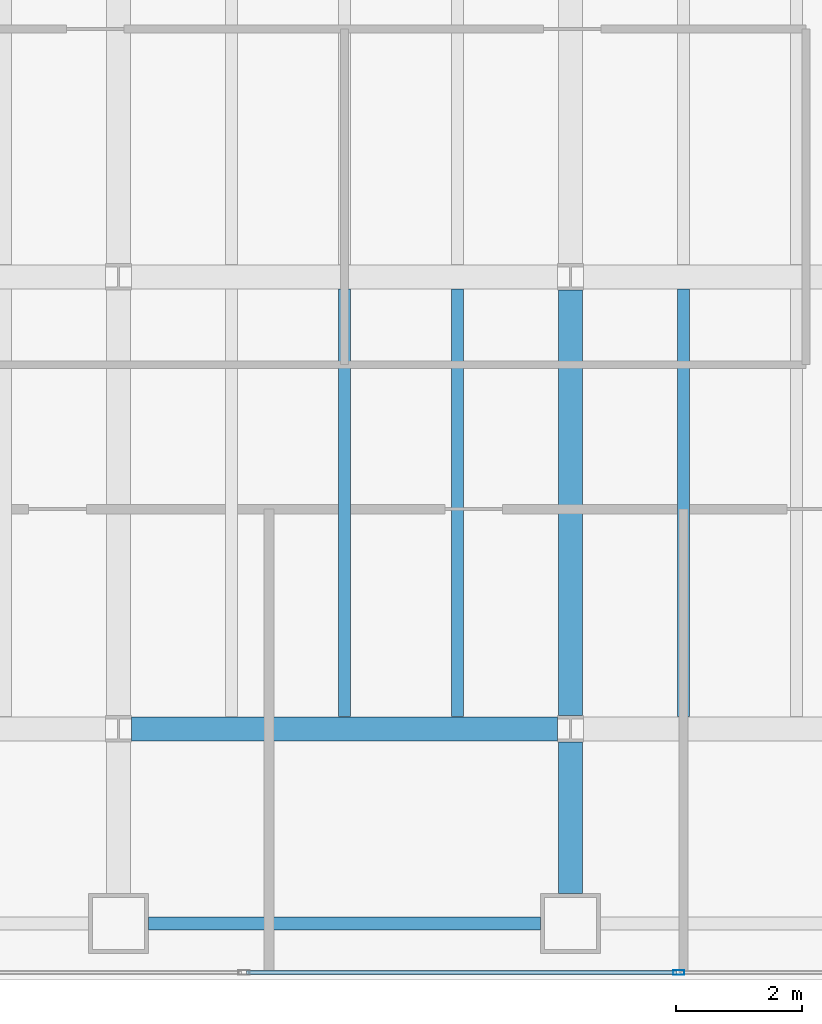
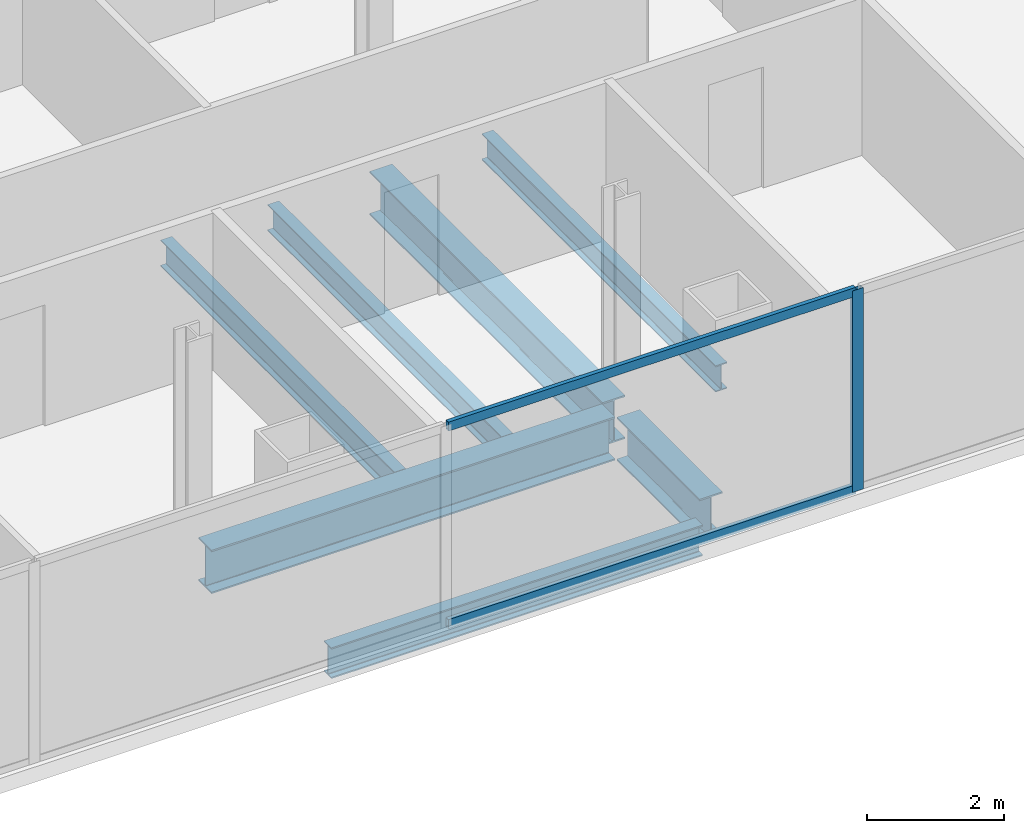
# One storey, part 5 of 23: 7 beams, 3 members, 1 element without a shape of its own.
"""IFC4 building model written with IfcOpenShell, lengths in metres."""

from ifc_helpers import new_model, si_unit, direction, frame, origin, origin_2d, place, context, subcontext, project, spatial, hollow_rectangle, i_section, extrude, material, material_profile, profile_set, type_object, element, aggregate, save


model = new_model("IFC4")

# Units and contexts
model_context = context("Model", 3, precision=1e-05, world=origin(), true_north=direction((0.0, 1.0)))
body_context = subcontext(model_context, "Body", "Model", "MODEL_VIEW")
ifc_project = project(units=[si_unit("LENGTHUNIT", "METRE"), si_unit("AREAUNIT", "SQUARE_METRE"), si_unit("VOLUMEUNIT", "CUBIC_METRE"), si_unit("PLANEANGLEUNIT", "RADIAN"), si_unit("MASSUNIT", "GRAM", prefix="KILO")], contexts=[model_context])

# Site, building, storey
site_placement = place(None, origin())
site = spatial("IfcSite", under=ifc_project, at=site_placement, CompositionType="ELEMENT")
building_placement = place(site_placement, origin())
building = spatial("IfcBuilding", under=site, at=building_placement, Name="Cobrela Telecom Tower", CompositionType="ELEMENT")
storey_placement = place(building_placement, frame((0.0, 0.0, 109.89990234375)))
storey = spatial("IfcBuildingStorey", under=building, at=storey_placement, Name="L27", CompositionType="ELEMENT", Elevation=109.89990234375)

# Beams
ifc_material_1 = material(Name="Steel ASTM A992 Grade 50", Category="steel")
ifc_material_profile_1 = material_profile(ifc_material_1, i_section(OverallWidth=0.381103515625, OverallDepth=0.77197265625, WebThickness=0.0166015625, FlangeThickness=0.027099609375, FilletRadius=0.01904296875, at=origin_2d()), Name="W30X173")
ifc_profile_set_1 = profile_set([ifc_material_profile_1], Name="Steel ASTM A992 Grade 50")
beam_type_1 = type_object("IfcBeamType", Name="BM-GIRD-04", PredefinedType="USERDEFINED", material=ifc_profile_set_1)
beam_1_placement = place(storey_placement, frame((21.8095703125, 7.199951171875, -0.656005859375), z_axis=(1.0, 0.0, 0.0), x_axis=(0.0, 1.0, 0.0)))
element("IfcBeam", 1, at=beam_1_placement, inside=storey, type_object=beam_type_1, Name="L27 Primary Girder X09", ObjectType="GIRDER", PredefinedType="USERDEFINED", context=body_context, shape_type="SweptSolid", body=[
    extrude(i_section(OverallWidth=0.381103515625, OverallDepth=0.77197265625, WebThickness=0.0166015625, FlangeThickness=0.027099609375, FilletRadius=0.01904296875, at=origin_2d()), origin(), (0.0, 0.0, 1.0), 6.781005859375),
])
beam_2_placement = place(storey_placement, frame((28.800048828125, 4.580078125, -0.656005859375), z_axis=(0.0, 1.0, 0.0), x_axis=(-1.0, 0.0, 0.0)))
element("IfcBeam", 2, at=beam_2_placement, inside=storey, type_object=beam_type_1, Name="L27 Primary Girder Y46", ObjectType="GIRDER", PredefinedType="USERDEFINED", context=body_context, shape_type="SweptSolid", body=[
    extrude(i_section(OverallWidth=0.381103515625, OverallDepth=0.77197265625, WebThickness=0.0166015625, FlangeThickness=0.027099609375, FilletRadius=0.01904296875, at=origin_2d()), origin(), (0.0, 0.0, 1.0), 2.410400390625),
])
beam_3_placement = place(storey_placement, frame((28.800048828125, 7.409423828125, -0.656005859375), z_axis=(0.0, 1.0, 0.0), x_axis=(-1.0, 0.0, 0.0)))
element("IfcBeam", 3, at=beam_3_placement, inside=storey, type_object=beam_type_1, Name="L27 Primary Girder Y47", ObjectType="GIRDER", PredefinedType="USERDEFINED", context=body_context, shape_type="SweptSolid", body=[
    extrude(i_section(OverallWidth=0.381103515625, OverallDepth=0.77197265625, WebThickness=0.0166015625, FlangeThickness=0.027099609375, FilletRadius=0.01904296875, at=origin_2d()), origin(), (0.0, 0.0, 1.0), 6.781005859375),
])
ifc_material_profile_2 = material_profile(ifc_material_1, i_section(OverallWidth=0.193115234375, OverallDepth=0.467041015625, WebThickness=0.011474609375, FlangeThickness=0.01904296875, FilletRadius=0.012939453125, at=origin_2d()), Name="W18X65")
ifc_profile_set_2 = profile_set([ifc_material_profile_2], Name="Steel ASTM A992 Grade 50")
beam_type_2 = type_object("IfcBeamType", Name="BM-JOIST-03", PredefinedType="JOIST", material=ifc_profile_set_2)
for number, where, z_axis, x_axis, name in (
    (4, (25.199951171875, 7.3955078125, -0.50341796875), (0.0, 1.0, 0.0), (-1.0, 0.0, 0.0), "L27 Secondary Composite Floor Beam J23"),
    (5, (27.0, 7.3955078125, -0.50341796875), (0.0, 1.0, 0.0), (-1.0, 0.0, 0.0), "L27 Secondary Composite Floor Beam J25"),
    (6, (30.60009765625, 7.3955078125, -0.50341796875), (0.0, 1.0, 0.0), (-1.0, 0.0, 0.0), "L27 Secondary Composite Floor Beam J27"),
):
    element("IfcBeam", number, at=place(storey_placement, frame(where, z_axis=z_axis, x_axis=x_axis)), inside=storey, type_object=beam_type_2, Name=name, PredefinedType="JOIST", context=body_context, shape_type="SweptSolid", body=[
        extrude(i_section(OverallWidth=0.193115234375, OverallDepth=0.467041015625, WebThickness=0.011474609375, FlangeThickness=0.01904296875, FilletRadius=0.012939453125, at=origin_2d()), origin(), (0.0, 0.0, 1.0), 6.80908203125),
    ])
ifc_material_profile_3 = material_profile(ifc_material_1, i_section(OverallWidth=0.212890625, OverallDepth=0.549072265625, WebThickness=0.0146484375, FlangeThickness=0.023681640625, FilletRadius=0.013916015625, at=origin_2d()), Name="W21X93")
ifc_profile_set_3 = profile_set([ifc_material_profile_3], Name="Steel ASTM A992 Grade 50")
beam_type_3 = type_object("IfcBeamType", Name="BM-SPAND-03", PredefinedType="SPANDREL", material=ifc_profile_set_3)
beam_4_placement = place(storey_placement, frame((22.080078125, 4.10009765625, -0.54443359375), z_axis=(1.0, 0.0, 0.0), x_axis=(0.0, 1.0, 0.0)))
element("IfcBeam", 7, at=beam_4_placement, inside=storey, type_object=beam_type_3, Name="L27 Perimeter Spandrel X03", PredefinedType="SPANDREL", context=body_context, shape_type="SweptSolid", body=[
    extrude(i_section(OverallWidth=0.212890625, OverallDepth=0.549072265625, WebThickness=0.0146484375, FlangeThickness=0.023681640625, FilletRadius=0.013916015625, at=origin_2d()), origin(), (0.0, 0.0, 1.0), 6.239990234375),
])

# Curtain wall, members
ifc_material_2 = material(Name="Anodized Bronze Aluminium 6063-T6", Category="aluminium")
curtain_wall_type = type_object("IfcCurtainWallType", Name="CW-SYS-TEL", PredefinedType="USERDEFINED", material=ifc_material_2)
curtain_wall_placement = place(storey_placement, origin())
curtain_wall = element("IfcCurtainWall", 8, at=curtain_wall_placement, inside=storey, type_object=curtain_wall_type, Name="L27 Unitised Bronze Curtain Wall 17", ObjectType="UNITISED CURTAIN WALL", PredefinedType="USERDEFINED")
ifc_material_profile_4 = material_profile(ifc_material_2, hollow_rectangle(XDim=0.074951171875, YDim=0.179931640625, WallThickness=0.00390625, at=origin_2d()), Name="ALU 75x180x4")
ifc_profile_set_4 = profile_set([ifc_material_profile_4], Name="Anodized Bronze Aluminium 6063-T6")
member_type_1 = type_object("IfcMemberType", Name="CW-SYS-TEL-MUL", PredefinedType="MULLION", material=ifc_profile_set_4)
member_1_placement = place(storey_placement, frame((30.5234375, 3.320068359375, 0.0), z_axis=(0.0, 0.0, 1.0), x_axis=(0.0, -1.0, 0.0)))
member_1 = element("IfcMember", 9, at=member_1_placement, type_object=member_type_1, Name="CW-TEL mullion 3", PredefinedType="MULLION", context=body_context, shape_type="SweptSolid", body=[
    extrude(hollow_rectangle(XDim=0.074951171875, YDim=0.179931640625, WallThickness=0.00390625, at=origin_2d()), origin(), (0.0, 0.0, 1.0), 3.580078125),
])
ifc_material_profile_5 = material_profile(ifc_material_2, hollow_rectangle(XDim=0.070068359375, YDim=0.159912109375, WallThickness=0.00390625, at=origin_2d()), Name="ALU 70x160x4")
ifc_profile_set_5 = profile_set([ifc_material_profile_5], Name="Anodized Bronze Aluminium 6063-T6")
member_type_2 = type_object("IfcMemberType", Name="CW-SYS-TEL-TRN", PredefinedType="USERDEFINED", material=ifc_profile_set_5)
member_2_placement = place(storey_placement, frame((30.48583984375, 3.320068359375, 0.03515625), z_axis=(-1.0, 0.0, 0.0), x_axis=(0.0, -1.0, 0.0)))
member_2 = element("IfcMember", 10, at=member_2_placement, type_object=member_type_2, Name="CW-TEL transom 3.1", ObjectType="TRANSOM", PredefinedType="USERDEFINED", context=body_context, shape_type="SweptSolid", body=[
    extrude(hollow_rectangle(XDim=0.070068359375, YDim=0.159912109375, WallThickness=0.00390625, at=origin_2d()), origin(), (0.0, 0.0, 1.0), 6.848388671875),
])
member_3_placement = place(storey_placement, frame((30.48583984375, 3.320068359375, 3.545166015625), z_axis=(-1.0, 0.0, 0.0), x_axis=(0.0, -1.0, 0.0)))
member_3 = element("IfcMember", 11, at=member_3_placement, type_object=member_type_2, Name="CW-TEL transom 3.2", ObjectType="TRANSOM", PredefinedType="USERDEFINED", context=body_context, shape_type="SweptSolid", body=[
    extrude(hollow_rectangle(XDim=0.070068359375, YDim=0.159912109375, WallThickness=0.00390625, at=origin_2d()), origin(), (0.0, 0.0, 1.0), 6.848388671875),
])
aggregate(curtain_wall, [member_1, member_2, member_3])

save(model, "model.ifc")
